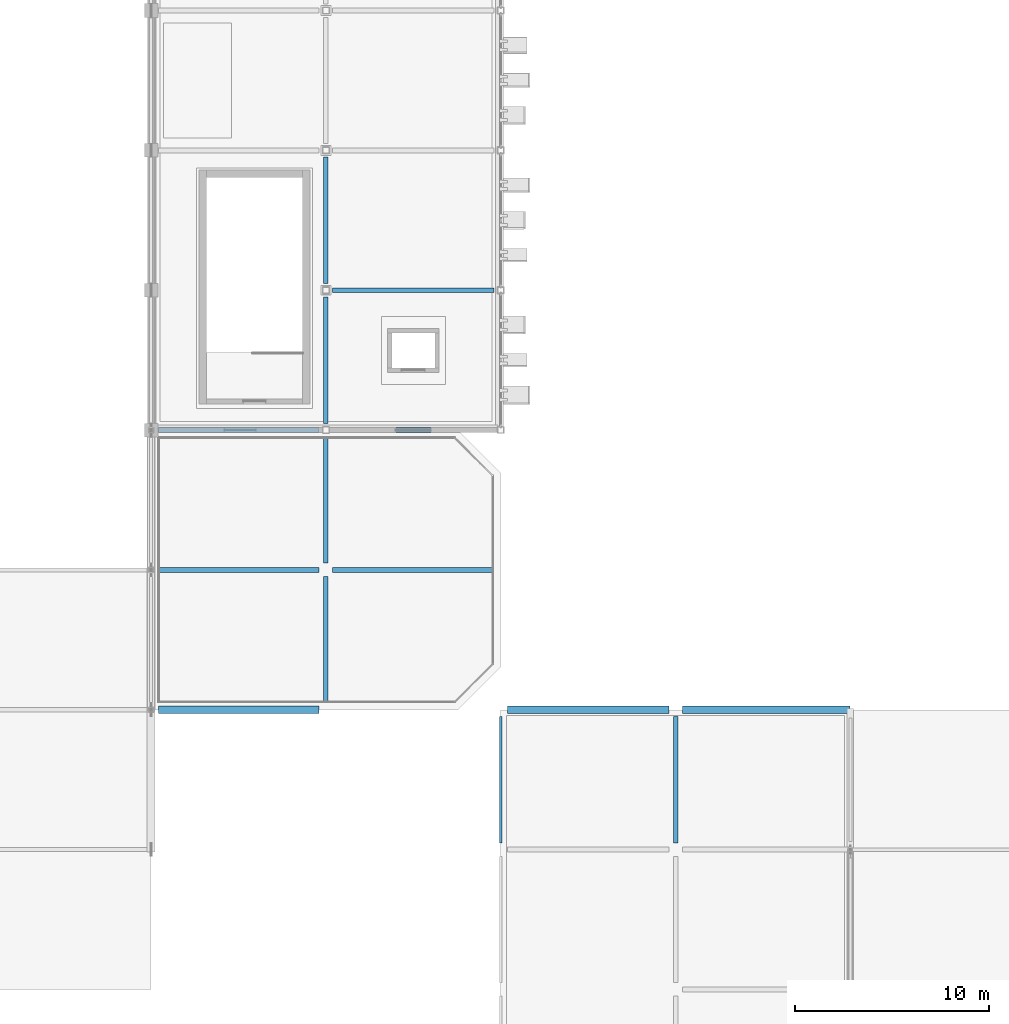
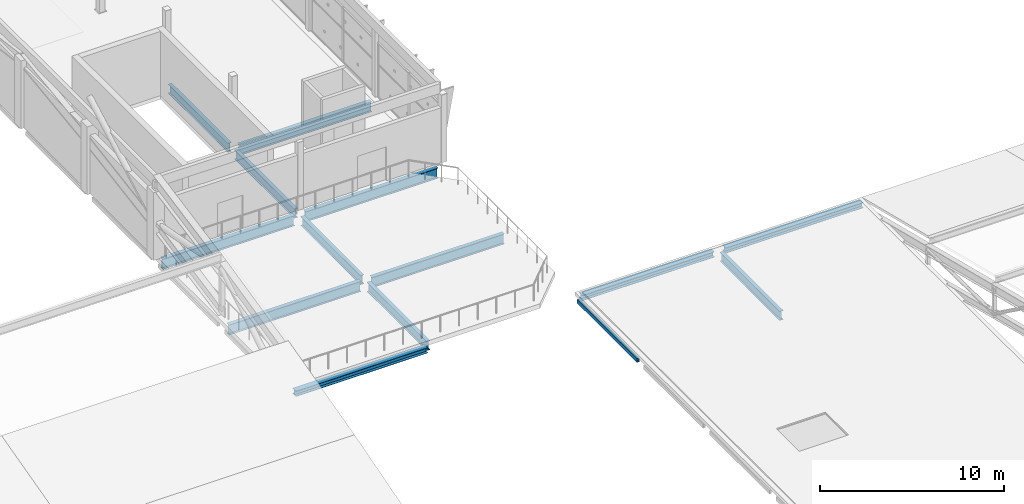
# One storey, part 42 of 124: 14 beams.
"""IFC4 building model written with IfcOpenShell, lengths in metres."""

from ifc_helpers import new_model, si_unit, direction, frame, origin, origin_2d, place, context, subcontext, project, spatial, hollow_rectangle, i_section, extrude, material, material_profile, profile_set, type_object, element, save


model = new_model("IFC4")

# Units and contexts
model_context = context("Model", 3, precision=1e-05, world=origin(), true_north=direction((0.0, 1.0)))
body_context = subcontext(model_context, "Body", "Model", "MODEL_VIEW")
ifc_project = project(units=[si_unit("LENGTHUNIT", "METRE"), si_unit("AREAUNIT", "SQUARE_METRE"), si_unit("VOLUMEUNIT", "CUBIC_METRE"), si_unit("PLANEANGLEUNIT", "RADIAN"), si_unit("MASSUNIT", "GRAM", prefix="KILO")], contexts=[model_context])

# Site, building, storey
site_placement = place(None, origin())
site = spatial("IfcSite", under=ifc_project, at=site_placement, CompositionType="ELEMENT")
building_placement = place(site_placement, origin())
building = spatial("IfcBuilding", under=site, at=building_placement, Name="Celestram Park Convention Centre", CompositionType="ELEMENT")
storey_placement = place(building_placement, frame((0.0, 0.0, 15.300048828125)))
storey = spatial("IfcBuildingStorey", under=building, at=storey_placement, Name="L03", CompositionType="ELEMENT", Elevation=15.300048828125)

# Beams
ifc_material_1 = material(Name="Steel ASTM A992 Grade 50", Category="steel")
ifc_material_profile_1 = material_profile(ifc_material_1, i_section(OverallWidth=0.22900390625, OverallDepth=0.612060546875, WebThickness=0.011962890625, FlangeThickness=0.01953125, at=origin_2d()), Name="W24X84")
ifc_profile_set_1 = profile_set([ifc_material_profile_1], Name="Steel ASTM A992 Grade 50")
beam_type_1 = type_object("IfcBeamType", Name="STR-BM-W24X84", PredefinedType="BEAM", material=ifc_profile_set_1)
beam_1_placement = place(storey_placement, frame((135.0, 36.347900390625, -0.60595703125), z_axis=(0.0, 1.0, 0.0), x_axis=(-1.0, 0.0, 0.0)))
element("IfcBeam", 1, at=beam_1_placement, inside=storey, type_object=beam_type_1, Name="Primary Y-girder BG-L03-0181", PredefinedType="BEAM", context=body_context, shape_type="SweptSolid", body=[
    extrude(i_section(OverallWidth=0.22900390625, OverallDepth=0.612060546875, WebThickness=0.011962890625, FlangeThickness=0.01953125, at=origin_2d()), origin(), (0.0, 0.0, 1.0), 6.504150390625),
])
for number, where, z_axis, x_axis, name in (
    (2, (135.0, 43.548095703125, -0.60595703125), (0.0, 1.0, 0.0), (-1.0, 0.0, 0.0), "Primary Y-girder BG-L03-0183"),
    (3, (135.0, 50.748046875, -0.55615234375), (0.0, 1.0, 0.0), (-1.0, 0.0, 0.0), "Primary Y-girder BG-L03-0185"),
    (4, (135.0, 57.947998046875, -0.55615234375), (0.0, 1.0, 0.0), (-1.0, 0.0, 0.0), "Primary Y-girder BG-L03-0187"),
):
    element("IfcBeam", number, at=place(storey_placement, frame(where, z_axis=z_axis, x_axis=x_axis)), inside=storey, type_object=beam_type_1, Name=name, PredefinedType="BEAM", context=body_context, shape_type="SweptSolid", body=[
        extrude(i_section(OverallWidth=0.22900390625, OverallDepth=0.612060546875, WebThickness=0.011962890625, FlangeThickness=0.01953125, at=origin_2d()), origin(), (0.0, 0.0, 1.0), 6.50390625),
    ])
beam_2_placement = place(storey_placement, frame((153.0, 29.14794921875, -0.546142578125), z_axis=(0.0, 1.0, 0.0), x_axis=(-1.0, 0.0, 0.0)))
element("IfcBeam", 5, at=beam_2_placement, inside=storey, type_object=beam_type_1, Name="Primary Y-girder BG-L03-0253", PredefinedType="BEAM", context=body_context, shape_type="SweptSolid", body=[
    extrude(i_section(OverallWidth=0.22900390625, OverallDepth=0.612060546875, WebThickness=0.011962890625, FlangeThickness=0.01953125, at=origin_2d()), origin(), (0.0, 0.0, 1.0), 6.504150390625),
])
ifc_material_profile_2 = material_profile(ifc_material_1, i_section(OverallWidth=0.25390625, OverallDepth=0.68310546875, WebThickness=0.012451171875, FlangeThickness=0.01904296875, at=origin_2d()), Name="W27X94")
ifc_profile_set_2 = profile_set([ifc_material_profile_2], Name="Steel ASTM A992 Grade 50")
beam_type_2 = type_object("IfcBeamType", Name="STR-BM-W27X94", PredefinedType="BEAM", material=ifc_profile_set_2)
for number, where, z_axis, x_axis, name in (
    (6, (126.373046875, 43.199951171875, -0.6416015625), (1.0, 0.0, 0.0), (0.0, 1.0, 0.0), "Primary X-girder BG-L03-0149"),
    (7, (126.373046875, 50.39990234375, -0.6416015625), (1.0, 0.0, 0.0), (0.0, 1.0, 0.0), "Primary X-girder BG-L03-0151"),
):
    element("IfcBeam", number, at=place(storey_placement, frame(where, z_axis=z_axis, x_axis=x_axis)), inside=storey, type_object=beam_type_2, Name=name, PredefinedType="BEAM", context=body_context, shape_type="SweptSolid", body=[
        extrude(i_section(OverallWidth=0.25390625, OverallDepth=0.68310546875, WebThickness=0.012451171875, FlangeThickness=0.01904296875, at=origin_2d()), origin(), (0.0, 0.0, 1.0), 8.279052734375),
    ])
for number, where, z_axis, x_axis, name in (
    (8, (135.347900390625, 43.199951171875, -0.6416015625), (1.0, 0.0, 0.0), (0.0, 1.0, 0.0), "Primary X-girder BG-L03-0182"),
    (9, (135.347900390625, 50.39990234375, -0.6416015625), (1.0, 0.0, 0.0), (0.0, 1.0, 0.0), "Primary X-girder BG-L03-0184"),
    (10, (135.347900390625, 57.60009765625, -0.591552734375), (1.0, 0.0, 0.0), (0.0, 1.0, 0.0), "Primary X-girder BG-L03-0186"),
):
    element("IfcBeam", number, at=place(storey_placement, frame(where, z_axis=z_axis, x_axis=x_axis)), inside=storey, type_object=beam_type_2, Name=name, PredefinedType="BEAM", context=body_context, shape_type="SweptSolid", body=[
        extrude(i_section(OverallWidth=0.25390625, OverallDepth=0.68310546875, WebThickness=0.012451171875, FlangeThickness=0.01904296875, at=origin_2d()), origin(), (0.0, 0.0, 1.0), 8.30419921875),
    ])
ifc_material_2 = material(Name="Steel ASTM A500 Grade C", Category="steel")
ifc_material_profile_3 = material_profile(ifc_material_2, hollow_rectangle(XDim=0.14990234375, YDim=0.25, WallThickness=0.010009765625, at=origin_2d()), Name="HSS250X150X10")
ifc_profile_set_3 = profile_set([ifc_material_profile_3], Name="Steel ASTM A500 Grade C")
beam_type_3 = type_object("IfcBeamType", Name="STR-SPN-HSS250X150", PredefinedType="SPANDREL", material=ifc_profile_set_3)
beam_3_placement = place(storey_placement, frame((144.0, 29.14794921875, -0.364990234375), z_axis=(0.0, 1.0, 0.0), x_axis=(-1.0, 0.0, 0.0)))
element("IfcBeam", 11, at=beam_3_placement, inside=storey, type_object=beam_type_3, Name="Primary Y-girder BG-L03-0223", PredefinedType="SPANDREL", context=body_context, shape_type="SweptSolid", body=[
    extrude(hollow_rectangle(XDim=0.14990234375, YDim=0.25, WallThickness=0.010009765625, at=origin_2d()), origin(), (0.0, 0.0, 1.0), 6.504150390625),
])
ifc_material_profile_4 = material_profile(ifc_material_1, i_section(OverallWidth=0.367919921875, OverallDepth=0.35595703125, WebThickness=0.01123046875, FlangeThickness=0.01806640625, at=origin_2d()), Name="W14X90")
ifc_profile_set_4 = profile_set([ifc_material_profile_4], Name="Steel ASTM A992 Grade 50")
beam_type_4 = type_object("IfcBeamType", Name="STR-SPN-W14X90", PredefinedType="SPANDREL", material=ifc_profile_set_4)
beam_4_placement = place(storey_placement, frame((126.373046875, 36.0, -0.47802734375), z_axis=(1.0, 0.0, 0.0), x_axis=(0.0, 1.0, 0.0)))
element("IfcBeam", 12, at=beam_4_placement, inside=storey, type_object=beam_type_4, Name="Primary X-girder BG-L03-0147", PredefinedType="SPANDREL", context=body_context, shape_type="SweptSolid", body=[
    extrude(i_section(OverallWidth=0.367919921875, OverallDepth=0.35595703125, WebThickness=0.01123046875, FlangeThickness=0.01806640625, at=origin_2d()), origin(), (0.0, 0.0, 1.0), 8.279052734375),
])
beam_5_placement = place(storey_placement, frame((144.347900390625, 36.0, -0.41796875), z_axis=(1.0, 0.0, 0.0), x_axis=(0.0, 1.0, 0.0)))
element("IfcBeam", 13, at=beam_5_placement, inside=storey, type_object=beam_type_4, Name="Primary X-girder BG-L03-0224", PredefinedType="SPANDREL", context=body_context, shape_type="SweptSolid", body=[
    extrude(i_section(OverallWidth=0.367919921875, OverallDepth=0.35595703125, WebThickness=0.01123046875, FlangeThickness=0.01806640625, at=origin_2d()), origin(), (0.0, 0.0, 1.0), 8.30419921875),
])
beam_6_placement = place(storey_placement, frame((153.347900390625, 36.0, -0.41796875), z_axis=(1.0, 0.0, 0.0), x_axis=(0.0, 1.0, 0.0)))
element("IfcBeam", 14, at=beam_6_placement, inside=storey, type_object=beam_type_4, Name="Primary X-girder BG-L03-0254", PredefinedType="SPANDREL", context=body_context, shape_type="SweptSolid", body=[
    extrude(i_section(OverallWidth=0.367919921875, OverallDepth=0.35595703125, WebThickness=0.01123046875, FlangeThickness=0.01806640625, at=origin_2d()), origin(), (0.0, 0.0, 1.0), 8.64501953125),
])

save(model, "model.ifc")
